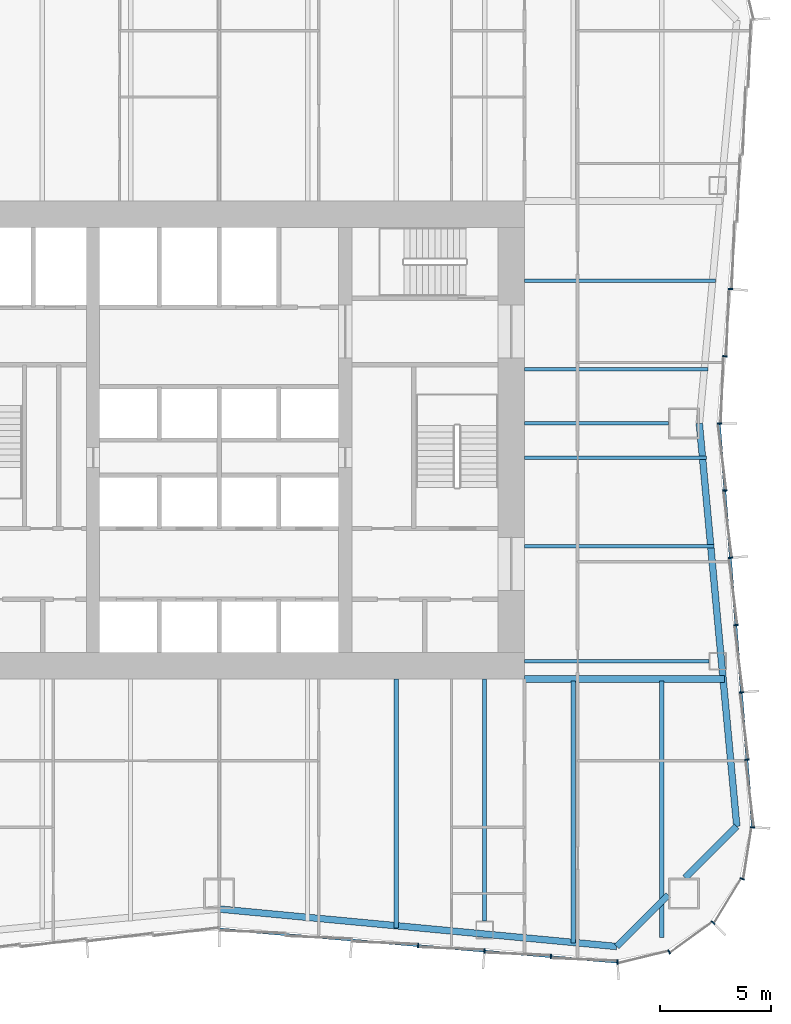
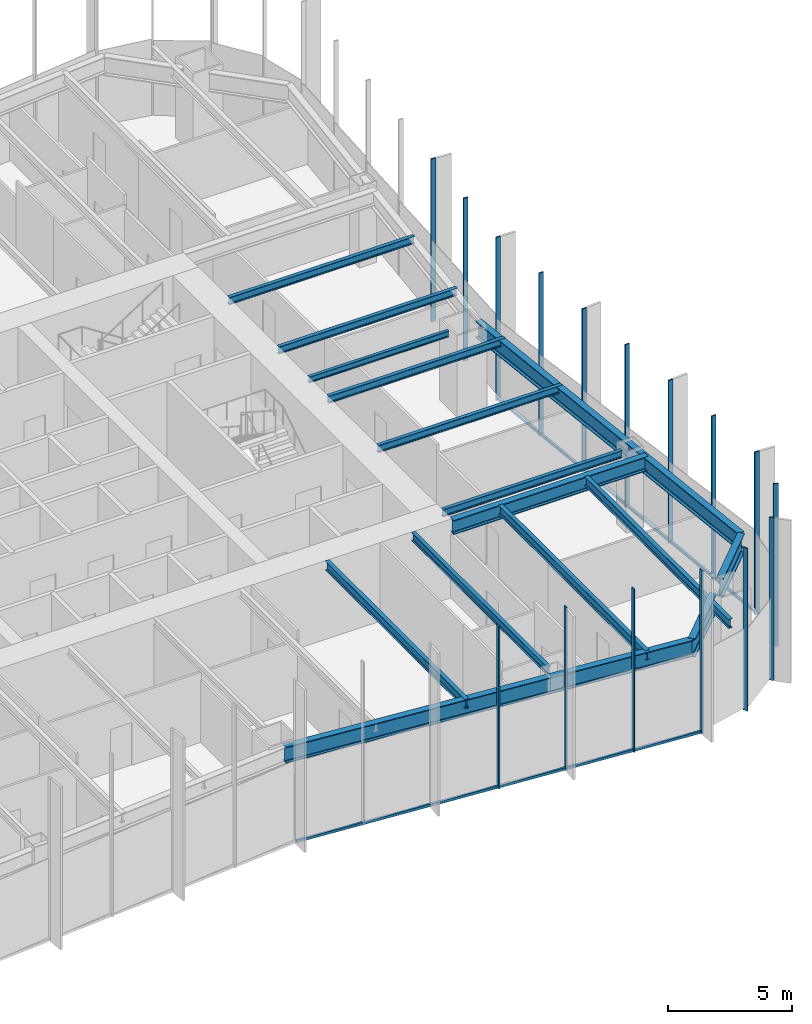
# One storey, part 4 of 13: 18 members, 15 beams, 3 elements without a shape of their own.
"""IFC4 building model written with IfcOpenShell, lengths in metres."""

from ifc_helpers import new_model, si_unit, direction, frame, origin, origin_2d, place, context, subcontext, project, spatial, rectangle, i_section, extrude, material, material_profile, profile_set, type_object, element, aggregate, save


model = new_model("IFC4")

# Units and contexts
model_context = context("Model", 3, precision=1e-05, world=origin(), true_north=direction((0.0, 1.0)))
body_context = subcontext(model_context, "Body", "Model", "MODEL_VIEW")
ifc_project = project(units=[si_unit("LENGTHUNIT", "METRE"), si_unit("AREAUNIT", "SQUARE_METRE"), si_unit("VOLUMEUNIT", "CUBIC_METRE"), si_unit("PLANEANGLEUNIT", "RADIAN"), si_unit("MASSUNIT", "GRAM", prefix="KILO")], contexts=[model_context])

# Site, building, storey
site_placement = place(None, origin())
site = spatial("IfcSite", under=ifc_project, at=site_placement, CompositionType="ELEMENT")
building_placement = place(site_placement, origin())
building = spatial("IfcBuilding", under=site, at=building_placement, Name="Verdant Reach Tower", CompositionType="ELEMENT")
storey_placement = place(building_placement, frame((0.0, 0.0, 106.0)))
storey = spatial("IfcBuildingStorey", under=building, at=storey_placement, Name="L24", CompositionType="ELEMENT", Elevation=106.0)

# Curtain wall, members
ifc_material_1 = material(Name="Anodised aluminium", Category="aluminium")
curtain_wall_type = type_object("IfcCurtainWallType", Name="EN-CW SYSTEM Z1", PredefinedType="NOTDEFINED", material=ifc_material_1)
curtain_wall_1_placement = place(storey_placement, origin())
curtain_wall_1 = element("IfcCurtainWall", 1, at=curtain_wall_1_placement, inside=storey, type_object=curtain_wall_type, Name="Curtain wall south-east corner, L24", PredefinedType="NOTDEFINED")
ifc_material_profile_1 = material_profile(ifc_material_1, rectangle(XDim=0.2060546875, YDim=0.06201171875, at=origin_2d()), Name="Mullion 62x206")
ifc_profile_set_1 = profile_set([ifc_material_profile_1], Name="Anodised aluminium")
member_type_1 = type_object("IfcMemberType", Name="EN-MULLION Z1", PredefinedType="MULLION", material=ifc_profile_set_1)
member_1_placement = place(storey_placement, frame((18.005859375, 4.397216796875, -0.35009765625), z_axis=(0.0, 0.0, 1.0), x_axis=(0.056569187765, -0.998398681387, 0.0)))
member_1 = element("IfcMember", 2, at=member_1_placement, type_object=member_type_1, Name="Mullion south-east corner 1, L24", PredefinedType="MULLION", context=body_context, shape_type="SweptSolid", body=[
    extrude(rectangle(XDim=0.2060546875, YDim=0.06201171875, at=origin_2d()), origin(), (0.0, 0.0, 1.0), 8.0),
])
member_2_placement = place(storey_placement, frame((20.33544921875, 4.861572265625, -0.35009765625), z_axis=(0.0, 0.0, 1.0), x_axis=(0.382693853776, -0.923875215753, 0.0)))
member_2 = element("IfcMember", 3, at=member_2_placement, type_object=member_type_1, Name="Mullion south-east corner 2, L24", PredefinedType="MULLION", context=body_context, shape_type="SweptSolid", body=[
    extrude(rectangle(XDim=0.2060546875, YDim=0.06201171875, at=origin_2d()), origin(), (0.0, 0.0, 1.0), 8.0),
])
member_3_placement = place(storey_placement, frame((22.3154296875, 6.1845703125, -0.35009765625), z_axis=(0.0, 0.0, 1.0), x_axis=(0.707106781187, -0.707106781187, 0.0)))
member_3 = element("IfcMember", 4, at=member_3_placement, type_object=member_type_1, Name="Mullion south-east corner 3, L24", PredefinedType="MULLION", context=body_context, shape_type="SweptSolid", body=[
    extrude(rectangle(XDim=0.2060546875, YDim=0.06201171875, at=origin_2d()), origin(), (0.0, 0.0, 1.0), 8.0),
])
member_4_placement = place(storey_placement, frame((23.638427734375, 8.16455078125, -0.35009765625), z_axis=(0.0, 0.0, 1.0), x_axis=(0.923875215753, -0.382693853776, 0.0)))
member_4 = element("IfcMember", 5, at=member_4_placement, type_object=member_type_1, Name="Mullion south-east corner 4, L24", PredefinedType="MULLION", context=body_context, shape_type="SweptSolid", body=[
    extrude(rectangle(XDim=0.2060546875, YDim=0.06201171875, at=origin_2d()), origin(), (0.0, 0.0, 1.0), 8.0),
])
aggregate(curtain_wall_1, [member_1, member_2, member_3, member_4])

curtain_wall_2_placement = place(storey_placement, origin())
curtain_wall_2 = element("IfcCurtainWall", 6, at=curtain_wall_2_placement, inside=storey, type_object=curtain_wall_type, Name="Curtain wall east, L24", PredefinedType="NOTDEFINED")
member_5_placement = place(storey_placement, frame((24.102783203125, 10.494140625, -0.35009765625), z_axis=(0.0, 0.0, 1.0), x_axis=(0.998366452275, -0.057135164055, 0.0)))
member_5 = element("IfcMember", 7, at=member_5_placement, type_object=member_type_1, Name="Mullion east face part 1 1, L24", PredefinedType="MULLION", context=body_context, shape_type="SweptSolid", body=[
    extrude(rectangle(XDim=0.2060546875, YDim=0.06201171875, at=origin_2d()), origin(), (0.0, 0.0, 1.0), 8.0),
])
member_6_placement = place(storey_placement, frame((23.8525390625, 13.550048828125, -0.35009765625), z_axis=(0.0, 0.0, 1.0), x_axis=(0.996639273542, 0.081915556724, 0.0)))
member_6 = element("IfcMember", 8, at=member_6_placement, type_object=member_type_1, Name="Mullion east face part 1 2, L24", PredefinedType="MULLION", context=body_context, shape_type="SweptSolid", body=[
    extrude(rectangle(XDim=0.2060546875, YDim=0.06201171875, at=origin_2d()), origin(), (0.0, 0.0, 1.0), 8.0),
])
member_7_placement = place(storey_placement, frame((23.6025390625, 16.591796875, -0.35009765625), z_axis=(0.0, 0.0, 1.0), x_axis=(0.996639273542, 0.081915556724, 0.0)))
member_7 = element("IfcMember", 9, at=member_7_placement, type_object=member_type_1, Name="Mullion east face part 1 3, L24", PredefinedType="MULLION", context=body_context, shape_type="SweptSolid", body=[
    extrude(rectangle(XDim=0.2060546875, YDim=0.06201171875, at=origin_2d()), origin(), (0.0, 0.0, 1.0), 8.0),
])
member_8_placement = place(storey_placement, frame((23.3525390625, 19.633544921875, -0.35009765625), z_axis=(0.0, 0.0, 1.0), x_axis=(0.996639273542, 0.081915556724, 0.0)))
member_8 = element("IfcMember", 10, at=member_8_placement, type_object=member_type_1, Name="Mullion east face part 1 4, L24", PredefinedType="MULLION", context=body_context, shape_type="SweptSolid", body=[
    extrude(rectangle(XDim=0.2060546875, YDim=0.06201171875, at=origin_2d()), origin(), (0.0, 0.0, 1.0), 8.0),
])
member_9_placement = place(storey_placement, frame((23.1025390625, 22.675048828125, -0.35009765625), z_axis=(0.0, 0.0, 1.0), x_axis=(0.996639273542, 0.081915556724, 0.0)))
member_9 = element("IfcMember", 11, at=member_9_placement, type_object=member_type_1, Name="Mullion east face part 1 5, L24", PredefinedType="MULLION", context=body_context, shape_type="SweptSolid", body=[
    extrude(rectangle(XDim=0.2060546875, YDim=0.06201171875, at=origin_2d()), origin(), (0.0, 0.0, 1.0), 8.0),
])
member_10_placement = place(storey_placement, frame((22.8525390625, 25.716796875, -0.35009765625), z_axis=(0.0, 0.0, 1.0), x_axis=(0.996639273542, 0.081915556724, 0.0)))
member_10 = element("IfcMember", 12, at=member_10_placement, type_object=member_type_1, Name="Mullion east face part 1 6, L24", PredefinedType="MULLION", context=body_context, shape_type="SweptSolid", body=[
    extrude(rectangle(XDim=0.2060546875, YDim=0.06201171875, at=origin_2d()), origin(), (0.0, 0.0, 1.0), 8.0),
])
member_11_placement = place(storey_placement, frame((22.60302734375, 28.75, -0.35009765625), z_axis=(0.0, 0.0, 1.0), x_axis=(1.0, 0.0, 0.0)))
member_11 = element("IfcMember", 13, at=member_11_placement, type_object=member_type_1, Name="Mullion east face part 2 1, L24", PredefinedType="MULLION", context=body_context, shape_type="SweptSolid", body=[
    extrude(rectangle(XDim=0.2060546875, YDim=0.06201171875, at=origin_2d()), origin(), (0.0, 0.0, 1.0), 8.0),
])
member_12_placement = place(storey_placement, frame((22.8525390625, 31.783203125, -0.35009765625), z_axis=(0.0, 0.0, 1.0), x_axis=(0.996639273542, -0.081915556724, 0.0)))
member_12 = element("IfcMember", 14, at=member_12_placement, type_object=member_type_1, Name="Mullion east face part 2 2, L24", PredefinedType="MULLION", context=body_context, shape_type="SweptSolid", body=[
    extrude(rectangle(XDim=0.2060546875, YDim=0.06201171875, at=origin_2d()), origin(), (0.0, 0.0, 1.0), 8.0),
])
member_13_placement = place(storey_placement, frame((23.1025390625, 34.824951171875, -0.35009765625), z_axis=(0.0, 0.0, 1.0), x_axis=(0.996639273542, -0.081915556724, 0.0)))
member_13 = element("IfcMember", 15, at=member_13_placement, type_object=member_type_1, Name="Mullion east face part 2 3, L24", PredefinedType="MULLION", context=body_context, shape_type="SweptSolid", body=[
    extrude(rectangle(XDim=0.2060546875, YDim=0.06201171875, at=origin_2d()), origin(), (0.0, 0.0, 1.0), 8.0),
])

curtain_wall_3_placement = place(storey_placement, origin())
curtain_wall_3 = element("IfcCurtainWall", 16, at=curtain_wall_3_placement, inside=storey, type_object=curtain_wall_type, Name="Curtain wall south, L24", PredefinedType="NOTDEFINED")
member_14_placement = place(storey_placement, frame((8.991455078125, 5.1474609375, -0.35009765625), z_axis=(0.0, 0.0, 1.0), x_axis=(-0.083045479859, -0.996545758244, 0.0)))
member_14 = element("IfcMember", 17, at=member_14_placement, type_object=member_type_1, Name="Mullion south face part 2 4, L24", PredefinedType="MULLION", context=body_context, shape_type="SweptSolid", body=[
    extrude(rectangle(XDim=0.2060546875, YDim=0.06201171875, at=origin_2d()), origin(), (0.0, 0.0, 1.0), 8.0),
])
member_15_placement = place(storey_placement, frame((11.991455078125, 4.8974609375, -0.35009765625), z_axis=(0.0, 0.0, 1.0), x_axis=(-0.083045479859, -0.996545758244, 0.0)))
member_15 = element("IfcMember", 18, at=member_15_placement, type_object=member_type_1, Name="Mullion south face part 2 5, L24", PredefinedType="MULLION", context=body_context, shape_type="SweptSolid", body=[
    extrude(rectangle(XDim=0.2060546875, YDim=0.06201171875, at=origin_2d()), origin(), (0.0, 0.0, 1.0), 8.0),
])
member_16_placement = place(storey_placement, frame((14.991455078125, 4.6474609375, -0.35009765625), z_axis=(0.0, 0.0, 1.0), x_axis=(-0.083045479859, -0.996545758244, 0.0)))
member_16 = element("IfcMember", 19, at=member_16_placement, type_object=member_type_1, Name="Mullion south face part 2 6, L24", PredefinedType="MULLION", context=body_context, shape_type="SweptSolid", body=[
    extrude(rectangle(XDim=0.2060546875, YDim=0.06201171875, at=origin_2d()), origin(), (0.0, 0.0, 1.0), 8.0),
])

# Member
ifc_material_profile_2 = material_profile(ifc_material_1, rectangle(XDim=0.10009765625, YDim=0.1220703125, at=origin_2d()), Name="Transom 122x100")
ifc_profile_set_2 = profile_set([ifc_material_profile_2], Name="Anodised aluminium")
member_type_2 = type_object("IfcMemberType", Name="EN-TRANSOM Z1", PredefinedType="USERDEFINED", material=ifc_profile_set_2)
member_17_placement = place(storey_placement, frame((24.100341796875, 10.52490234375, -0.2890625), z_axis=(-0.081886623329, 0.996641651207, 0.0), x_axis=(-0.996641651207, -0.081886623329, 0.0)))
member_17 = element("IfcMember", 20, at=member_17_placement, type_object=member_type_2, Name="Transom east face part 1 1.1, L24", ObjectType="TRANSOM", PredefinedType="USERDEFINED", context=body_context, shape_type="SweptSolid", body=[
    extrude(rectangle(XDim=0.10009765625, YDim=0.1220703125, at=origin_2d()), origin(), (0.0, 0.0, 1.0), 18.25537109375),
])

aggregate(curtain_wall_2, [member_5, member_6, member_7, member_8, member_9, member_10, member_17, member_11, member_12, member_13])

member_18_placement = place(storey_placement, frame((0.031005859375, 5.89453125, -0.2890625), z_axis=(0.996547815143, -0.083020793384, 0.0), x_axis=(0.083020793384, 0.996547815143, 0.0)))
member_18 = element("IfcMember", 21, at=member_18_placement, type_object=member_type_2, Name="Transom south face part 2 1.1, L24", ObjectType="TRANSOM", PredefinedType="USERDEFINED", context=body_context, shape_type="SweptSolid", body=[
    extrude(rectangle(XDim=0.10009765625, YDim=0.1220703125, at=origin_2d()), origin(), (0.0, 0.0, 1.0), 18.006103515625),
])

aggregate(curtain_wall_3, [member_14, member_15, member_16, member_18])

# Beams
ifc_material_2 = material(Name="Steel S355", Category="steel")
ifc_material_profile_3 = material_profile(ifc_material_2, i_section(OverallWidth=0.300048828125, OverallDepth=0.699951171875, WebThickness=0.01708984375, FlangeThickness=0.031982421875, FilletRadius=0.027099609375, at=origin_2d()), Name="HEB 700")
ifc_profile_set_3 = profile_set([ifc_material_profile_3], Name="Steel S355")
beam_type_1 = type_object("IfcBeamType", Name="ST-BEAM-HEB700", PredefinedType="BEAM", material=ifc_profile_set_3)
beam_1_placement = place(storey_placement, frame((13.800048828125, 17.199951171875, 3.52001953125), z_axis=(1.0, 0.0, 0.0), x_axis=(0.0, 1.0, 0.0)))
element("IfcBeam", 22, at=beam_1_placement, inside=storey, type_object=beam_type_1, Name="Trimmer beam, L24", PredefinedType="BEAM", context=body_context, shape_type="SweptSolid", body=[
    extrude(i_section(OverallWidth=0.300048828125, OverallDepth=0.699951171875, WebThickness=0.01708984375, FlangeThickness=0.031982421875, FilletRadius=0.027099609375, at=origin_2d()), origin(), (0.0, 0.0, 1.0), 9.04736328125),
])
ifc_material_profile_4 = material_profile(ifc_material_2, i_section(OverallWidth=0.14990234375, OverallDepth=0.300048828125, WebThickness=0.007080078125, FlangeThickness=0.0107421875, FilletRadius=0.014892578125, at=origin_2d()), Name="IPE 300")
ifc_profile_set_4 = profile_set([ifc_material_profile_4], Name="Steel S355")
beam_type_2 = type_object("IfcBeamType", Name="ST-JOIST-IPE300", PredefinedType="JOIST", material=ifc_profile_set_4)
beam_2_placement = place(storey_placement, frame((13.800048828125, 28.75, 3.719970703125), z_axis=(1.0, 0.0, 0.0), x_axis=(0.0, 1.0, 0.0)))
element("IfcBeam", 23, at=beam_2_placement, inside=storey, type_object=beam_type_2, Name="Floor joist, L24", PredefinedType="JOIST", context=body_context, shape_type="SweptSolid", body=[
    extrude(i_section(OverallWidth=0.14990234375, OverallDepth=0.300048828125, WebThickness=0.007080078125, FlangeThickness=0.0107421875, FilletRadius=0.014892578125, at=origin_2d()), origin(), (0.0, 0.0, 1.0), 6.5),
])
ifc_material_profile_5 = material_profile(ifc_material_2, i_section(OverallWidth=0.169921875, OverallDepth=0.360107421875, WebThickness=0.008056640625, FlangeThickness=0.0126953125, FilletRadius=0.01806640625, at=origin_2d()), Name="IPE 360")
ifc_profile_set_5 = profile_set([ifc_material_profile_5], Name="Steel S355")
beam_type_3 = type_object("IfcBeamType", Name="ST-JOIST-IPE360", PredefinedType="JOIST", material=ifc_profile_set_5)
beam_3_placement = place(storey_placement, frame((13.800048828125, 18.0, 3.68994140625), z_axis=(1.0, 0.0, 0.0), x_axis=(0.0, 1.0, 0.0)))
element("IfcBeam", 24, at=beam_3_placement, inside=storey, type_object=beam_type_3, Name="Floor joist, L24", PredefinedType="JOIST", context=body_context, shape_type="SweptSolid", body=[
    extrude(i_section(OverallWidth=0.169921875, OverallDepth=0.360107421875, WebThickness=0.008056640625, FlangeThickness=0.0126953125, FilletRadius=0.01806640625, at=origin_2d()), origin(), (0.0, 0.0, 1.0), 8.33349609375),
])
beam_4_placement = place(storey_placement, frame((13.800048828125, 23.199951171875, 3.68994140625), z_axis=(1.0, 0.0, 0.0), x_axis=(0.0, 1.0, 0.0)))
element("IfcBeam", 25, at=beam_4_placement, inside=storey, type_object=beam_type_3, Name="Floor joist, L24", PredefinedType="JOIST", context=body_context, shape_type="SweptSolid", body=[
    extrude(i_section(OverallWidth=0.169921875, OverallDepth=0.360107421875, WebThickness=0.008056640625, FlangeThickness=0.0126953125, FilletRadius=0.01806640625, at=origin_2d()), origin(), (0.0, 0.0, 1.0), 8.553955078125),
])
beam_5_placement = place(storey_placement, frame((13.800048828125, 27.199951171875, 3.68994140625), z_axis=(1.0, 0.0, 0.0), x_axis=(0.0, 1.0, 0.0)))
element("IfcBeam", 26, at=beam_5_placement, inside=storey, type_object=beam_type_3, Name="Floor joist, L24", PredefinedType="JOIST", context=body_context, shape_type="SweptSolid", body=[
    extrude(i_section(OverallWidth=0.169921875, OverallDepth=0.360107421875, WebThickness=0.008056640625, FlangeThickness=0.0126953125, FilletRadius=0.01806640625, at=origin_2d()), origin(), (0.0, 0.0, 1.0), 8.225341796875),
])
beam_6_placement = place(storey_placement, frame((13.800048828125, 31.199951171875, 3.68994140625), z_axis=(1.0, 0.0, 0.0), x_axis=(0.0, 1.0, 0.0)))
element("IfcBeam", 27, at=beam_6_placement, inside=storey, type_object=beam_type_3, Name="Floor joist, L24", PredefinedType="JOIST", context=body_context, shape_type="SweptSolid", body=[
    extrude(i_section(OverallWidth=0.169921875, OverallDepth=0.360107421875, WebThickness=0.008056640625, FlangeThickness=0.0126953125, FilletRadius=0.01806640625, at=origin_2d()), origin(), (0.0, 0.0, 1.0), 8.29931640625),
])
beam_7_placement = place(storey_placement, frame((13.800048828125, 35.199951171875, 3.68994140625), z_axis=(1.0, 0.0, 0.0), x_axis=(0.0, 1.0, 0.0)))
element("IfcBeam", 28, at=beam_7_placement, inside=storey, type_object=beam_type_3, Name="Floor joist, L24", PredefinedType="JOIST", context=body_context, shape_type="SweptSolid", body=[
    extrude(i_section(OverallWidth=0.169921875, OverallDepth=0.360107421875, WebThickness=0.008056640625, FlangeThickness=0.0126953125, FilletRadius=0.01806640625, at=origin_2d()), origin(), (0.0, 0.0, 1.0), 8.6279296875),
])
ifc_material_profile_6 = material_profile(ifc_material_2, i_section(OverallWidth=0.179931640625, OverallDepth=0.39990234375, WebThickness=0.008544921875, FlangeThickness=0.013427734375, FilletRadius=0.02099609375, at=origin_2d()), Name="IPE 400")
ifc_profile_set_6 = profile_set([ifc_material_profile_6], Name="Steel S355")
beam_type_4 = type_object("IfcBeamType", Name="ST-JOIST-IPE400", PredefinedType="JOIST", material=ifc_profile_set_6)
beam_8_placement = place(storey_placement, frame((12.0, 17.199951171875, 3.669921875), z_axis=(0.0, -1.0, 0.0), x_axis=(1.0, 0.0, 0.0)))
element("IfcBeam", 29, at=beam_8_placement, inside=storey, type_object=beam_type_4, Name="Floor joist, L24", PredefinedType="JOIST", context=body_context, shape_type="SweptSolid", body=[
    extrude(i_section(OverallWidth=0.179931640625, OverallDepth=0.39990234375, WebThickness=0.008544921875, FlangeThickness=0.013427734375, FilletRadius=0.02099609375, at=origin_2d()), origin(), (0.0, 0.0, 1.0), 10.949951171875),
])
ifc_material_profile_7 = material_profile(ifc_material_2, i_section(OverallWidth=0.18994140625, OverallDepth=0.449951171875, WebThickness=0.009521484375, FlangeThickness=0.0146484375, FilletRadius=0.02099609375, at=origin_2d()), Name="IPE 450")
ifc_profile_set_7 = profile_set([ifc_material_profile_7], Name="Steel S355")
beam_type_5 = type_object("IfcBeamType", Name="ST-JOIST-IPE450", PredefinedType="JOIST", material=ifc_profile_set_7)
beam_9_placement = place(storey_placement, frame((8.0, 17.199951171875, 3.64501953125), z_axis=(0.0, -1.0, 0.0), x_axis=(1.0, 0.0, 0.0)))
element("IfcBeam", 30, at=beam_9_placement, inside=storey, type_object=beam_type_5, Name="Floor joist, L24", PredefinedType="JOIST", context=body_context, shape_type="SweptSolid", body=[
    extrude(i_section(OverallWidth=0.18994140625, OverallDepth=0.449951171875, WebThickness=0.009521484375, FlangeThickness=0.0146484375, FilletRadius=0.02099609375, at=origin_2d()), origin(), (0.0, 0.0, 1.0), 11.2646484375),
])
beam_10_placement = place(storey_placement, frame((16.0, 17.10009765625, 3.64501953125), z_axis=(0.0, -1.0, 0.0), x_axis=(1.0, 0.0, 0.0)))
element("IfcBeam", 31, at=beam_10_placement, inside=storey, type_object=beam_type_5, Name="Floor joist, L24", PredefinedType="JOIST", context=body_context, shape_type="SweptSolid", body=[
    extrude(i_section(OverallWidth=0.18994140625, OverallDepth=0.449951171875, WebThickness=0.009521484375, FlangeThickness=0.0146484375, FilletRadius=0.02099609375, at=origin_2d()), origin(), (0.0, 0.0, 1.0), 11.831298828125),
])
beam_11_placement = place(storey_placement, frame((20.0, 17.10009765625, 3.64501953125), z_axis=(0.0, -1.0, 0.0), x_axis=(1.0, 0.0, 0.0)))
element("IfcBeam", 32, at=beam_11_placement, inside=storey, type_object=beam_type_5, Name="Floor joist, L24", PredefinedType="JOIST", context=body_context, shape_type="SweptSolid", body=[
    extrude(i_section(OverallWidth=0.18994140625, OverallDepth=0.449951171875, WebThickness=0.009521484375, FlangeThickness=0.0146484375, FilletRadius=0.02099609375, at=origin_2d()), origin(), (0.0, 0.0, 1.0), 11.590576171875),
])
ifc_material_profile_8 = material_profile(ifc_material_2, i_section(OverallWidth=0.300048828125, OverallDepth=0.800048828125, WebThickness=0.017578125, FlangeThickness=0.032958984375, FilletRadius=0.030029296875, at=origin_2d()), Name="HEB 800")
ifc_profile_set_8 = profile_set([ifc_material_profile_8], Name="Steel S355")
beam_type_6 = type_object("IfcBeamType", Name="ST-SPANDREL-HEB800", PredefinedType="SPANDREL", material=ifc_profile_set_8)
beam_12_placement = place(storey_placement, frame((17.9658203125, 5.10498046875, 3.469970703125), z_axis=(-0.995578571765, 0.093932462137, 0.0), x_axis=(-0.093932462137, -0.995578571765, 0.0)))
element("IfcBeam", 33, at=beam_12_placement, inside=storey, type_object=beam_type_6, Name="Edge beam, L24", PredefinedType="SPANDREL", context=body_context, shape_type="SweptSolid", body=[
    extrude(i_section(OverallWidth=0.300048828125, OverallDepth=0.800048828125, WebThickness=0.017578125, FlangeThickness=0.032958984375, FilletRadius=0.030029296875, at=origin_2d()), origin(), (0.0, 0.0, 1.0), 18.045654296875),
])
beam_13_placement = place(storey_placement, frame((21.699951171875, 28.75, 3.469970703125), z_axis=(0.092656907618, -0.995698095544, 0.0), x_axis=(0.995698095544, 0.092656907618, 0.0)))
element("IfcBeam", 34, at=beam_13_placement, inside=storey, type_object=beam_type_6, Name="Edge beam, L24", PredefinedType="SPANDREL", context=body_context, shape_type="SweptSolid", body=[
    extrude(i_section(OverallWidth=0.300048828125, OverallDepth=0.800048828125, WebThickness=0.017578125, FlangeThickness=0.032958984375, FilletRadius=0.030029296875, at=origin_2d()), origin(), (0.0, 0.0, 1.0), 18.2939453125),
])
ifc_material_profile_9 = material_profile(ifc_material_2, i_section(OverallWidth=0.302001953125, OverallDepth=0.909912109375, WebThickness=0.02099609375, FlangeThickness=0.0400390625, FilletRadius=0.030029296875, at=origin_2d()), Name="HEM 900")
ifc_profile_set_9 = profile_set([ifc_material_profile_9], Name="Steel S355")
beam_type_7 = type_object("IfcBeamType", Name="ST-SPANDREL-HEM900", PredefinedType="SPANDREL", material=ifc_profile_set_9)
beam_14_placement = place(storey_placement, frame((23.39501953125, 10.53466796875, 3.4150390625), z_axis=(-0.707069807316, -0.707143753123, 0.0), x_axis=(0.707143753123, -0.707069807316, 0.0)))
element("IfcBeam", 35, at=beam_14_placement, inside=storey, type_object=beam_type_7, Name="Edge beam, L24", PredefinedType="SPANDREL", context=body_context, shape_type="SweptSolid", body=[
    extrude(i_section(OverallWidth=0.302001953125, OverallDepth=0.909912109375, WebThickness=0.02099609375, FlangeThickness=0.0400390625, FilletRadius=0.030029296875, at=origin_2d()), origin(), (0.0, 0.0, 1.0), 3.301513671875),
])
beam_15_placement = place(storey_placement, frame((20.300048828125, 7.439208984375, 3.4150390625), z_axis=(-0.707106781187, -0.707106781187, 0.0), x_axis=(0.707106781187, -0.707106781187, 0.0)))
element("IfcBeam", 36, at=beam_15_placement, inside=storey, type_object=beam_type_7, Name="Edge beam, L24", PredefinedType="SPANDREL", context=body_context, shape_type="SweptSolid", body=[
    extrude(i_section(OverallWidth=0.302001953125, OverallDepth=0.909912109375, WebThickness=0.02099609375, FlangeThickness=0.0400390625, FilletRadius=0.030029296875, at=origin_2d()), origin(), (0.0, 0.0, 1.0), 3.301025390625),
])

save(model, "model.ifc")
